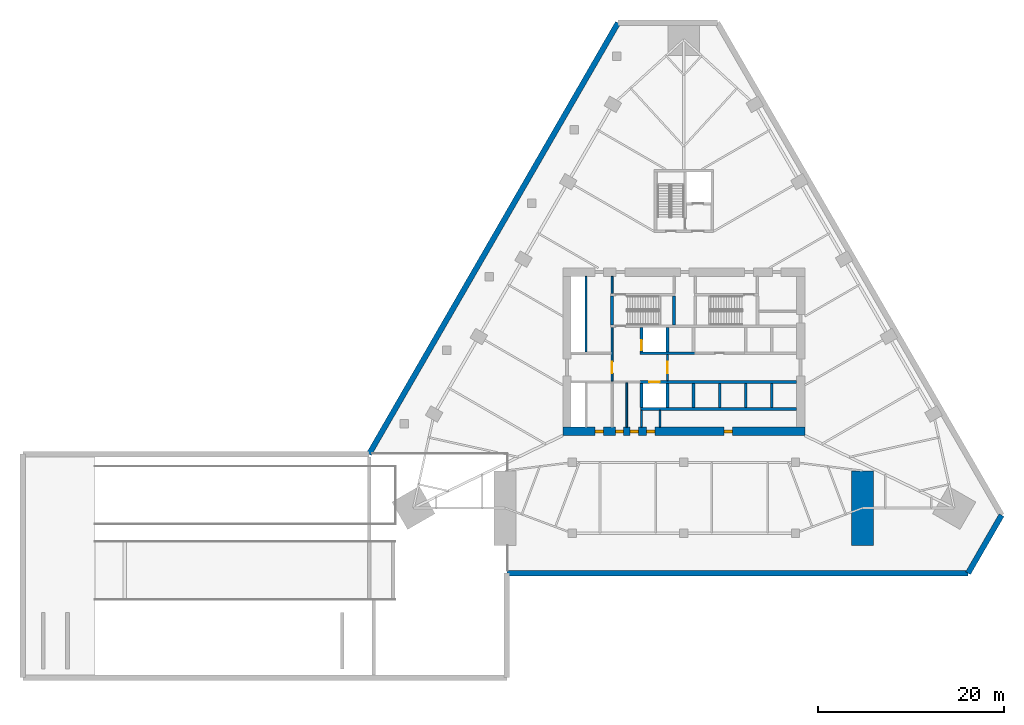
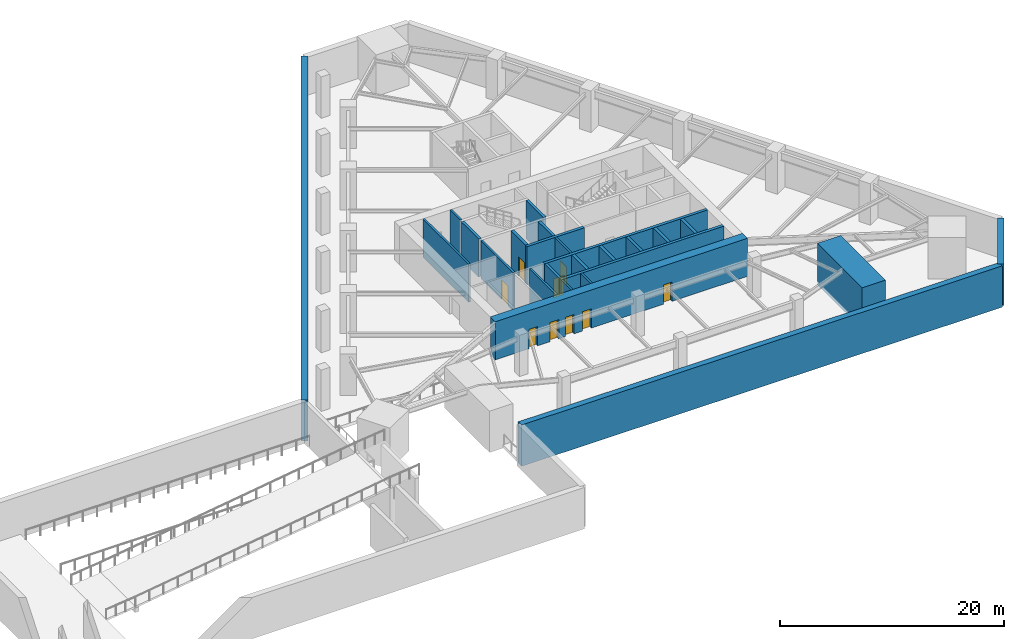
# One storey, part 3 of 7: 25 walls, 9 doors, 9 openings.
"""IFC4 building model written with IfcOpenShell, lengths in metres."""

from ifc_helpers import new_model, si_unit, direction, frame, frame_2d, origin, place, context, subcontext, project, spatial, rectangle, extrude, material, layer, layer_set, type_object, element, fill, save


model = new_model("IFC4")

# Units and contexts
model_context = context("Model", 3, precision=1e-05, world=origin(), true_north=direction((0.0, 1.0)))
body_context = subcontext(model_context, "Body", "Model", "MODEL_VIEW")
ifc_project = project(units=[si_unit("LENGTHUNIT", "METRE"), si_unit("AREAUNIT", "SQUARE_METRE"), si_unit("VOLUMEUNIT", "CUBIC_METRE"), si_unit("PLANEANGLEUNIT", "RADIAN"), si_unit("MASSUNIT", "GRAM", prefix="KILO")], contexts=[model_context])

# Site, building, storey
site_placement = place(None, origin())
site = spatial("IfcSite", under=ifc_project, at=site_placement, CompositionType="ELEMENT")
building_placement = place(site_placement, origin())
building = spatial("IfcBuilding", under=site, at=building_placement, Name="Firuza Gate Tower and Library", CompositionType="ELEMENT")
storey_placement = place(building_placement, frame((0.0, 0.0, -9.5)))
storey = spatial("IfcBuildingStorey", under=building, at=storey_placement, Name="B2", CompositionType="ELEMENT", Elevation=-9.5)

# Wall
ifc_material_1 = material(Name="Plasterboard on steel studs", Category="steel")
ifc_layer_1 = layer(ifc_material_1, 0.199951171875)
ifc_layer_set_1 = layer_set([ifc_layer_1], Name="Core partition 200 EI 120")
wall_type_1 = type_object("IfcWallType", Name="Core partition 200 EI 120", PredefinedType="PARTITIONING", material=ifc_layer_set_1)
wall_1_placement = place(storey_placement, frame((64.5, 74.949951171875, 0.0), z_axis=(0.0, 0.0, 1.0), x_axis=(0.0, 1.0, 0.0)))
element("IfcWall", 1, at=wall_1_placement, inside=storey, type_object=wall_type_1, Name="Core partition B2 6", PredefinedType="PARTITIONING", context=body_context, shape_type="SweptSolid", body=[
    extrude(rectangle(XDim=8.150146484375, YDim=0.199951171875, at=frame_2d((4.0751953125, 0.0))), origin(), (0.0, 0.0, 1.0), 4.14990234375),
])

# Wall, opening, door
wall_2_placement = place(storey_placement, frame((67.300048828125, 71.85009765625, 0.0), z_axis=(0.0, 0.0, 1.0), x_axis=(0.0, 1.0, 0.0)))
wall_2 = element("IfcWall", 2, at=wall_2_placement, inside=storey, type_object=wall_type_1, Name="Core partition B2 8", PredefinedType="PARTITIONING", context=body_context, shape_type="SweptSolid", body=[
    extrude(rectangle(XDim=5.75, YDim=0.199951171875, at=frame_2d((2.875, 0.0))), origin(), (0.0, 0.0, 1.0), 4.14990234375),
])
opening_1_placement = place(wall_2_placement, frame((0.85009765625, 0.0, 0.0)))
opening_1 = element("IfcOpeningElement", 3, at=opening_1_placement, cuts=wall_2, Name="Opening B2-K13", PredefinedType="OPENING", context=body_context, shape_type="SweptSolid", body=[
    extrude(rectangle(XDim=1.199951171875, YDim=2.10009765625, at=frame_2d((0.60009765625, 1.050048828125))), frame((0.0, 0.10986328125, 0.0), z_axis=(0.0, -1.0, 0.0), x_axis=(1.0, 0.0, 0.0)), (0.0, 0.0, 1.0), 0.219970703125),
])
ifc_material_2 = material(Name="Steel", Category="steel")
door_type_1 = type_object("IfcDoorType", Name="Fire door 1200x2100 FD90S", OperationType="NOTDEFINED", PredefinedType="DOOR", material=ifc_material_2)
door_1_placement = place(opening_1_placement, origin())
door_1 = element("IfcDoor", 4, at=door_1_placement, inside=storey, type_object=door_type_1, Name="Door B2-K13", OperationType="SINGLE_SWING_RIGHT", OverallHeight=2.10009765625, OverallWidth=1.199951171875, PredefinedType="DOOR", context=body_context, shape_type="SweptSolid", body=[
    extrude(rectangle(XDim=1.199951171875, YDim=2.10009765625, at=frame_2d((0.60009765625, 1.050048828125))), frame((0.0, 0.02490234375, 0.0), z_axis=(0.0, -1.0, 0.0), x_axis=(1.0, 0.0, 0.0)), (0.0, 0.0, 1.0), 0.050048828125),
])
fill(opening_1, door_1)

# Walls
wall_3_placement = place(storey_placement, frame((67.300048828125, 81.280029296875, 0.0), z_axis=(0.0, 0.0, 1.0), x_axis=(0.0, 1.0, 0.0)))
element("IfcWall", 5, at=wall_3_placement, inside=storey, type_object=wall_type_1, Name="Core partition B2 9", PredefinedType="PARTITIONING", context=body_context, shape_type="SweptSolid", body=[
    extrude(rectangle(XDim=1.820068359375, YDim=0.199951171875, at=frame_2d((0.91015625, 0.0))), origin(), (0.0, 0.0, 1.0), 4.14990234375),
])
wall_4_placement = place(storey_placement, frame((68.875, 66.89990234375, 0.0), z_axis=(0.0, 0.0, 1.0), x_axis=(0.0, 1.0, 0.0)))
element("IfcWall", 6, at=wall_4_placement, inside=storey, type_object=wall_type_1, Name="Core partition B2 10", PredefinedType="PARTITIONING", context=body_context, shape_type="SweptSolid", body=[
    extrude(rectangle(XDim=4.75, YDim=0.199951171875, at=frame_2d((2.375, 0.0))), origin(), (0.0, 0.0, 1.0), 4.14990234375),
])
for number, where, z_axis, x_axis, name in (
    (7, (70.449951171875, 66.89990234375, 0.0), (0.0, 0.0, 1.0), (0.0, 1.0, 0.0), "Core partition B2 11"),
    (8, (72.447998046875, 66.89990234375, 0.0), (0.0, 0.0, 1.0), (0.0, 1.0, 0.0), "Core partition B2 12"),
):
    element("IfcWall", number, at=place(storey_placement, frame(where, z_axis=z_axis, x_axis=x_axis)), inside=storey, type_object=wall_type_1, Name=name, PredefinedType="PARTITIONING", context=body_context, shape_type="SweptSolid", body=[
        extrude(rectangle(XDim=1.800048828125, YDim=0.199951171875, at=frame_2d((0.89990234375, 0.0))), origin(), (0.0, 0.0, 1.0), 4.14990234375),
    ])

# Wall, opening, door
ifc_material_3 = material(Name="Plasterboard on steel studs", Category="steel")
ifc_layer_2 = layer(ifc_material_3, 0.199951171875)
ifc_layer_set_2 = layer_set([ifc_layer_2], Name="Core partition 200 EI 60")
wall_type_2 = type_object("IfcWallType", Name="Core partition 200 EI 60", PredefinedType="PARTITIONING", material=ifc_layer_set_2)
wall_5_placement = place(storey_placement, frame((73.25, 71.89990234375, 0.0), z_axis=(0.0, 0.0, 1.0), x_axis=(0.0, 1.0, 0.0)))
wall_5 = element("IfcWall", 9, at=wall_5_placement, inside=storey, type_object=wall_type_2, Name="Core partition B2 13", PredefinedType="PARTITIONING", context=body_context, shape_type="SweptSolid", body=[
    extrude(rectangle(XDim=2.800048828125, YDim=0.199951171875, at=frame_2d((1.39990234375, 0.0))), origin(), (0.0, 0.0, 1.0), 4.14990234375),
])
opening_2_placement = place(wall_5_placement, frame((0.800048828125, 0.0, 0.0)))
opening_2 = element("IfcOpeningElement", 10, at=opening_2_placement, cuts=wall_5, Name="Opening B2-K12", PredefinedType="OPENING", context=body_context, shape_type="SweptSolid", body=[
    extrude(rectangle(XDim=1.199951171875, YDim=2.10009765625, at=frame_2d((0.60009765625, 1.050048828125))), frame((0.0, 0.10986328125, 0.0), z_axis=(0.0, -1.0, 0.0), x_axis=(1.0, 0.0, 0.0)), (0.0, 0.0, 1.0), 0.219970703125),
])
door_2_placement = place(opening_2_placement, origin())
door_2 = element("IfcDoor", 11, at=door_2_placement, inside=storey, type_object=door_type_1, Name="Door B2-K12", OperationType="SINGLE_SWING_LEFT", OverallHeight=2.10009765625, OverallWidth=1.199951171875, PredefinedType="DOOR", context=body_context, shape_type="SweptSolid", body=[
    extrude(rectangle(XDim=1.199951171875, YDim=2.10009765625, at=frame_2d((0.60009765625, 1.050048828125))), frame((0.0, 0.02490234375, 0.0), z_axis=(0.0, -1.0, 0.0), x_axis=(1.0, 0.0, 0.0)), (0.0, 0.0, 1.0), 0.050048828125),
])
fill(opening_2, door_2)

# Wall
ifc_material_4 = material(Name="Concrete C80/95", Category="concrete")
ifc_layer_3 = layer(ifc_material_4, 0.300048828125)
ifc_layer_set_3 = layer_set([ifc_layer_3], Name="Core wall 300 C80/95")
wall_type_3 = type_object("IfcWallType", Name="Core wall 300 C80/95", PredefinedType="SHEAR", material=ifc_layer_set_3)
wall_6_placement = place(storey_placement, frame((70.35009765625, 68.85009765625, 0.0), z_axis=(0.0, 0.0, 1.0), x_axis=(1.0, 0.0, 0.0)))
element("IfcWall", 12, at=wall_6_placement, inside=storey, type_object=wall_type_3, Name="Core wall B2 5", PredefinedType="SHEAR", context=body_context, shape_type="SweptSolid", body=[
    extrude(rectangle(XDim=16.75, YDim=0.300048828125, at=frame_2d((8.375, 0.0))), origin(), (0.0, 0.0, 1.0), 4.14990234375),
])

# Wall, opening, door
wall_7_placement = place(storey_placement, frame((70.300048828125, 71.75, 0.0), z_axis=(0.0, 0.0, 1.0), x_axis=(1.0, 0.0, 0.0)))
wall_7 = element("IfcWall", 13, at=wall_7_placement, inside=storey, type_object=wall_type_3, Name="Core wall B2 6", PredefinedType="SHEAR", context=body_context, shape_type="SweptSolid", body=[
    extrude(rectangle(XDim=16.800048828125, YDim=0.300048828125, at=frame_2d((8.39990234375, 0.0))), origin(), (0.0, 0.0, 1.0), 4.14990234375),
])
opening_3_placement = place(wall_7_placement, frame((1.0, 0.0, 0.0)))
opening_3 = element("IfcOpeningElement", 14, at=opening_3_placement, cuts=wall_7, Name="Opening LD-FF1-B2", PredefinedType="OPENING", context=body_context, shape_type="SweptSolid", body=[
    extrude(rectangle(XDim=1.10009765625, YDim=2.10009765625, at=frame_2d((0.550048828125, 1.050048828125))), frame((0.0, 0.16015625, 0.0), z_axis=(0.0, -1.0, 0.0), x_axis=(1.0, 0.0, 0.0)), (0.0, 0.0, 1.0), 0.320068359375),
])
ifc_material_5 = material(Name="Stainless steel", Category="steel")
door_type_2 = type_object("IfcDoorType", Name="Lift landing door 1100x2100", OperationType="DOUBLE_DOOR_SLIDING", PredefinedType="DOOR", material=ifc_material_5)
door_3_placement = place(opening_3_placement, origin())
door_3 = element("IfcDoor", 15, at=door_3_placement, inside=storey, type_object=door_type_2, Name="Landing door FF1 B2", OperationType="DOUBLE_DOOR_SLIDING", OverallHeight=2.10009765625, OverallWidth=1.10009765625, PredefinedType="DOOR", context=body_context, shape_type="SweptSolid", body=[
    extrude(rectangle(XDim=1.10009765625, YDim=2.10009765625, at=frame_2d((0.550048828125, 1.050048828125))), frame((0.0, 0.02490234375, 0.0), z_axis=(0.0, -1.0, 0.0), x_axis=(1.0, 0.0, 0.0)), (0.0, 0.0, 1.0), 0.050048828125),
])
fill(opening_3, door_3)

# Walls
wall_8_placement = place(storey_placement, frame((70.300048828125, 74.85009765625, 0.0), z_axis=(0.0, 0.0, 1.0), x_axis=(1.0, 0.0, 0.0)))
element("IfcWall", 16, at=wall_8_placement, inside=storey, type_object=wall_type_3, Name="Core wall B2 7", PredefinedType="SHEAR", context=body_context, shape_type="SweptSolid", body=[
    extrude(rectangle(XDim=5.89990234375, YDim=0.300048828125, at=frame_2d((2.949951171875, 0.0))), origin(), (0.0, 0.0, 1.0), 4.14990234375),
])
wall_9_placement = place(storey_placement, frame((70.449951171875, 69.0, 0.0), z_axis=(0.0, 0.0, 1.0), x_axis=(0.0, 1.0, 0.0)))
element("IfcWall", 17, at=wall_9_placement, inside=storey, type_object=wall_type_3, Name="Core wall B2 9", PredefinedType="SHEAR", context=body_context, shape_type="SweptSolid", body=[
    extrude(rectangle(XDim=2.60009765625, YDim=0.300048828125, at=frame_2d((1.300048828125, 0.0))), origin(), (0.0, 0.0, 1.0), 4.14990234375),
])

# Wall, opening, door
wall_10_placement = place(storey_placement, frame((70.449951171875, 75.0, 0.0), z_axis=(0.0, 0.0, 1.0), x_axis=(0.0, 1.0, 0.0)))
wall_10 = element("IfcWall", 18, at=wall_10_placement, inside=storey, type_object=wall_type_3, Name="Core wall B2 10", PredefinedType="SHEAR", context=body_context, shape_type="SweptSolid", body=[
    extrude(rectangle(XDim=2.60009765625, YDim=0.300048828125, at=frame_2d((1.300048828125, 0.0))), origin(), (0.0, 0.0, 1.0), 4.14990234375),
])
opening_4_placement = place(wall_10_placement, frame((0.14990234375, 0.0, 0.0)))
opening_4 = element("IfcOpeningElement", 19, at=opening_4_placement, cuts=wall_10, Name="Opening LD-FF2-B2", PredefinedType="OPENING", context=body_context, shape_type="SweptSolid", body=[
    extrude(rectangle(XDim=1.10009765625, YDim=2.10009765625, at=frame_2d((0.550048828125, 1.050048828125))), frame((0.0, 0.16015625, 0.0), z_axis=(0.0, -1.0, 0.0), x_axis=(1.0, 0.0, 0.0)), (0.0, 0.0, 1.0), 0.320068359375),
])
door_4_placement = place(opening_4_placement, origin())
door_4 = element("IfcDoor", 20, at=door_4_placement, inside=storey, type_object=door_type_2, Name="Landing door FF2 B2", OperationType="DOUBLE_DOOR_SLIDING", OverallHeight=2.10009765625, OverallWidth=1.10009765625, PredefinedType="DOOR", context=body_context, shape_type="SweptSolid", body=[
    extrude(rectangle(XDim=1.10009765625, YDim=2.10009765625, at=frame_2d((0.550048828125, 1.050048828125))), frame((0.0, 0.02490234375, 0.0), z_axis=(0.0, -1.0, 0.0), x_axis=(1.0, 0.0, 0.0)), (0.0, 0.0, 1.0), 0.050048828125),
])
fill(opening_4, door_4)

# Walls
for number, where, z_axis, x_axis, name in (
    (21, (73.25, 69.0, 0.0), (0.0, 0.0, 1.0), (0.0, 1.0, 0.0), "Core wall B2 11"),
    (22, (73.25, 75.0, 0.0), (0.0, 0.0, 1.0), (0.0, 1.0, 0.0), "Core wall B2 12"),
    (23, (76.050048828125, 69.0, 0.0), (0.0, 0.0, 1.0), (0.0, 1.0, 0.0), "Core wall B2 13"),
    (24, (78.85009765625, 69.0, 0.0), (0.0, 0.0, 1.0), (0.0, 1.0, 0.0), "Core wall B2 15"),
    (25, (81.64990234375, 69.0, 0.0), (0.0, 0.0, 1.0), (0.0, 1.0, 0.0), "Core wall B2 16"),
    (26, (84.449951171875, 69.0, 0.0), (0.0, 0.0, 1.0), (0.0, 1.0, 0.0), "Core wall B2 18"),
):
    element("IfcWall", number, at=place(storey_placement, frame(where, z_axis=z_axis, x_axis=x_axis)), inside=storey, type_object=wall_type_3, Name=name, PredefinedType="SHEAR", context=body_context, shape_type="SweptSolid", body=[
        extrude(rectangle(XDim=2.60009765625, YDim=0.300048828125, at=frame_2d((1.300048828125, 0.0))), origin(), (0.0, 0.0, 1.0), 4.14990234375),
    ])
for number, where, z_axis, x_axis, name in (
    (27, (67.300048828125, 77.89990234375, 0.0), (0.0, 0.0, 1.0), (0.0, 1.0, 0.0), "Core wall B2 23"),
    (28, (73.9599609375, 77.89990234375, 0.0), (0.0, 0.0, 1.0), (0.0, 1.0, 0.0), "Core wall B2 24"),
):
    element("IfcWall", number, at=place(storey_placement, frame(where, z_axis=z_axis, x_axis=x_axis)), inside=storey, type_object=wall_type_3, Name=name, PredefinedType="SHEAR", context=body_context, shape_type="SweptSolid", body=[
        extrude(rectangle(XDim=3.080078125, YDim=0.300048828125, at=frame_2d((1.5400390625, 0.0))), origin(), (0.0, 0.0, 1.0), 4.14990234375),
    ])

# Wall, openings, doors
ifc_material_6 = material(Name="Concrete C80/95", Category="concrete")
ifc_layer_4 = layer(ifc_material_6, 0.89990234375)
ifc_layer_set_4 = layer_set([ifc_layer_4], Name="Core wall 900 C80/95")
wall_type_4 = type_object("IfcWallType", Name="Core wall 900 C80/95", PredefinedType="SHEAR", material=ifc_layer_set_4)
wall_11_placement = place(storey_placement, frame((62.0, 66.449951171875, 0.0), z_axis=(0.0, 0.0, 1.0), x_axis=(1.0, 0.0, 0.0)))
wall_11 = element("IfcWall", 29, at=wall_11_placement, inside=storey, type_object=wall_type_4, Name="Core wall B2 1", PredefinedType="SHEAR", context=body_context, shape_type="SweptSolid", body=[
    extrude(rectangle(XDim=26.0, YDim=0.89990234375, at=frame_2d((13.0, 0.0))), origin(), (0.0, 0.0, 1.0), 4.14990234375),
])
opening_5_placement = place(wall_11_placement, frame((3.449951171875, 0.0, 0.0)))
opening_5 = element("IfcOpeningElement", 30, at=opening_5_placement, cuts=wall_11, Name="Opening B2-K16", PredefinedType="OPENING", context=body_context, shape_type="SweptSolid", body=[
    extrude(rectangle(XDim=0.89990234375, YDim=2.10009765625, at=frame_2d((0.449951171875, 1.050048828125))), frame((0.0, 0.4599609375, 0.0), z_axis=(0.0, -1.0, 0.0), x_axis=(1.0, 0.0, 0.0)), (0.0, 0.0, 1.0), 0.919921875),
])
opening_6_placement = place(wall_11_placement, frame((5.637451171875, 0.0, 0.0)))
opening_6 = element("IfcOpeningElement", 31, at=opening_6_placement, cuts=wall_11, Name="Opening B2-K17", PredefinedType="OPENING", context=body_context, shape_type="SweptSolid", body=[
    extrude(rectangle(XDim=0.89990234375, YDim=2.10009765625, at=frame_2d((0.449951171875, 1.050048828125))), frame((0.0, 0.4599609375, 0.0), z_axis=(0.0, -1.0, 0.0), x_axis=(1.0, 0.0, 0.0)), (0.0, 0.0, 1.0), 0.919921875),
])
opening_7_placement = place(wall_11_placement, frame((7.21240234375, 0.0, 0.0)))
opening_7 = element("IfcOpeningElement", 32, at=opening_7_placement, cuts=wall_11, Name="Opening B2-K18", PredefinedType="OPENING", context=body_context, shape_type="SweptSolid", body=[
    extrude(rectangle(XDim=0.89990234375, YDim=2.10009765625, at=frame_2d((0.449951171875, 1.050048828125))), frame((0.0, 0.4599609375, 0.0), z_axis=(0.0, -1.0, 0.0), x_axis=(1.0, 0.0, 0.0)), (0.0, 0.0, 1.0), 0.919921875),
])
opening_8_placement = place(wall_11_placement, frame((8.9990234375, 0.0, 0.0)))
opening_8 = element("IfcOpeningElement", 33, at=opening_8_placement, cuts=wall_11, Name="Opening B2-K19", PredefinedType="OPENING", context=body_context, shape_type="SweptSolid", body=[
    extrude(rectangle(XDim=0.89990234375, YDim=2.10009765625, at=frame_2d((0.449951171875, 1.050048828125))), frame((0.0, 0.4599609375, 0.0), z_axis=(0.0, -1.0, 0.0), x_axis=(1.0, 0.0, 0.0)), (0.0, 0.0, 1.0), 0.919921875),
])
opening_9_placement = place(wall_11_placement, frame((17.323974609375, 0.0, 0.0)))
opening_9 = element("IfcOpeningElement", 34, at=opening_9_placement, cuts=wall_11, Name="Opening B2-K20", PredefinedType="OPENING", context=body_context, shape_type="SweptSolid", body=[
    extrude(rectangle(XDim=0.89990234375, YDim=2.10009765625, at=frame_2d((0.449951171875, 1.050048828125))), frame((0.0, 0.4599609375, 0.0), z_axis=(0.0, -1.0, 0.0), x_axis=(1.0, 0.0, 0.0)), (0.0, 0.0, 1.0), 0.919921875),
])
ifc_material_7 = material(Name="Steel", Category="steel")
door_type_3 = type_object("IfcDoorType", Name="Fire door 900x2100 FD30S", OperationType="NOTDEFINED", PredefinedType="DOOR", material=ifc_material_7)
door_5_placement = place(opening_5_placement, origin())
door_5 = element("IfcDoor", 35, at=door_5_placement, inside=storey, type_object=door_type_3, Name="Door B2-K16", OperationType="SINGLE_SWING_LEFT", OverallHeight=2.10009765625, OverallWidth=0.89990234375, PredefinedType="DOOR", context=body_context, shape_type="SweptSolid", body=[
    extrude(rectangle(XDim=0.89990234375, YDim=2.10009765625, at=frame_2d((0.449951171875, 1.050048828125))), frame((0.0, 0.169921875, 0.0), z_axis=(0.0, -1.0, 0.0), x_axis=(1.0, 0.0, 0.0)), (0.0, 0.0, 1.0), 0.33984375),
])
fill(opening_5, door_5)
door_6_placement = place(opening_6_placement, origin())
door_6 = element("IfcDoor", 36, at=door_6_placement, inside=storey, type_object=door_type_3, Name="Door B2-K17", OperationType="SINGLE_SWING_RIGHT", OverallHeight=2.10009765625, OverallWidth=0.89990234375, PredefinedType="DOOR", context=body_context, shape_type="SweptSolid", body=[
    extrude(rectangle(XDim=0.89990234375, YDim=2.10009765625, at=frame_2d((0.449951171875, 1.050048828125))), frame((0.0, 0.169921875, 0.0), z_axis=(0.0, -1.0, 0.0), x_axis=(1.0, 0.0, 0.0)), (0.0, 0.0, 1.0), 0.33984375),
])
fill(opening_6, door_6)
door_7_placement = place(opening_7_placement, origin())
door_7 = element("IfcDoor", 37, at=door_7_placement, inside=storey, type_object=door_type_3, Name="Door B2-K18", OperationType="SINGLE_SWING_LEFT", OverallHeight=2.10009765625, OverallWidth=0.89990234375, PredefinedType="DOOR", context=body_context, shape_type="SweptSolid", body=[
    extrude(rectangle(XDim=0.89990234375, YDim=2.10009765625, at=frame_2d((0.449951171875, 1.050048828125))), frame((0.0, 0.169921875, 0.0), z_axis=(0.0, -1.0, 0.0), x_axis=(1.0, 0.0, 0.0)), (0.0, 0.0, 1.0), 0.33984375),
])
fill(opening_7, door_7)
door_8_placement = place(opening_8_placement, origin())
door_8 = element("IfcDoor", 38, at=door_8_placement, inside=storey, type_object=door_type_3, Name="Door B2-K19", OperationType="SINGLE_SWING_RIGHT", OverallHeight=2.10009765625, OverallWidth=0.89990234375, PredefinedType="DOOR", context=body_context, shape_type="SweptSolid", body=[
    extrude(rectangle(XDim=0.89990234375, YDim=2.10009765625, at=frame_2d((0.449951171875, 1.050048828125))), frame((0.0, 0.169921875, 0.0), z_axis=(0.0, -1.0, 0.0), x_axis=(1.0, 0.0, 0.0)), (0.0, 0.0, 1.0), 0.33984375),
])
fill(opening_8, door_8)
door_9_placement = place(opening_9_placement, origin())
door_9 = element("IfcDoor", 39, at=door_9_placement, inside=storey, type_object=door_type_3, Name="Door B2-K20", OperationType="SINGLE_SWING_LEFT", OverallHeight=2.10009765625, OverallWidth=0.89990234375, PredefinedType="DOOR", context=body_context, shape_type="SweptSolid", body=[
    extrude(rectangle(XDim=0.89990234375, YDim=2.10009765625, at=frame_2d((0.449951171875, 1.050048828125))), frame((0.0, 0.169921875, 0.0), z_axis=(0.0, -1.0, 0.0), x_axis=(1.0, 0.0, 0.0)), (0.0, 0.0, 1.0), 0.33984375),
])
fill(opening_9, door_9)

# Walls
ifc_material_8 = material(Name="Concrete C80/95", Category="concrete")
ifc_layer_5 = layer(ifc_material_8, 2.39990234375)
ifc_layer_set_5 = layer_set([ifc_layer_5], Name="Iwan wall 2400 C80/95")
wall_type_5 = type_object("IfcWallType", Name="Iwan wall 2400 C80/95", PredefinedType="SHEAR", material=ifc_layer_set_5)
wall_12_placement = place(storey_placement, frame((94.199951171875, 54.21533203125, -0.35009765625), z_axis=(0.0, 0.0, 1.0), x_axis=(0.0, 1.0, 0.0)))
element("IfcWall", 40, at=wall_12_placement, inside=storey, type_object=wall_type_5, Name="Iwan wall E B2", PredefinedType="SHEAR", context=body_context, shape_type="SweptSolid", body=[
    extrude(rectangle(XDim=8.0, YDim=2.39990234375, at=frame_2d((4.0, 0.0))), origin(), (0.0, 0.0, 1.0), 4.5),
])
ifc_material_9 = material(Name="Concrete C40/50", Category="concrete")
ifc_layer_6 = layer(ifc_material_9, 0.60009765625)
ifc_layer_set_6 = layer_set([ifc_layer_6], Name="Retaining wall 600 C40/50")
wall_type_6 = type_object("IfcWallType", Name="Retaining wall 600 C40/50", PredefinedType="SOLIDWALL", material=ifc_layer_set_6)
wall_13_placement = place(storey_placement, frame((56.0, 51.21533203125, -0.35009765625), z_axis=(0.0, 0.0, 1.0), x_axis=(1.0, 0.0, 0.0)))
element("IfcWall", 41, at=wall_13_placement, inside=storey, type_object=wall_type_6, Name="Retaining wall B2 1", PredefinedType="SOLIDWALL", context=body_context, shape_type="SweptSolid", body=[
    extrude(rectangle(XDim=49.531982421875, YDim=0.60009765625, at=frame_2d((24.76611328125, 0.0))), origin(), (0.0, 0.0, 1.0), 4.5),
])
wall_14_placement = place(storey_placement, frame((105.531982421875, 51.21533203125, -0.35009765625), z_axis=(0.0, 0.0, 1.0), x_axis=(0.500012057535, 0.866018442252, 0.0)))
element("IfcWall", 42, at=wall_14_placement, inside=storey, type_object=wall_type_6, Name="Retaining wall B2 2", PredefinedType="SOLIDWALL", context=body_context, shape_type="SweptSolid", body=[
    extrude(rectangle(XDim=7.199951171875, YDim=0.60009765625, at=frame_2d((3.60009765625, 0.0))), origin(), (0.0, 0.0, 1.0), 4.5),
])
wall_15_placement = place(storey_placement, frame((67.935791015625, 110.333740234375, -0.35009765625), z_axis=(0.0, 0.0, 1.0), x_axis=(-0.499999089162, -0.866025929656, 0.0)))
element("IfcWall", 43, at=wall_15_placement, inside=storey, type_object=wall_type_6, Name="Retaining wall B2 5", PredefinedType="SOLIDWALL", context=body_context, shape_type="SweptSolid", body=[
    extrude(rectangle(XDim=53.50146484375, YDim=0.60009765625, at=frame_2d((26.750732421875, 0.0))), origin(), (0.0, 0.0, 1.0), 4.5),
])

save(model, "model.ifc")
